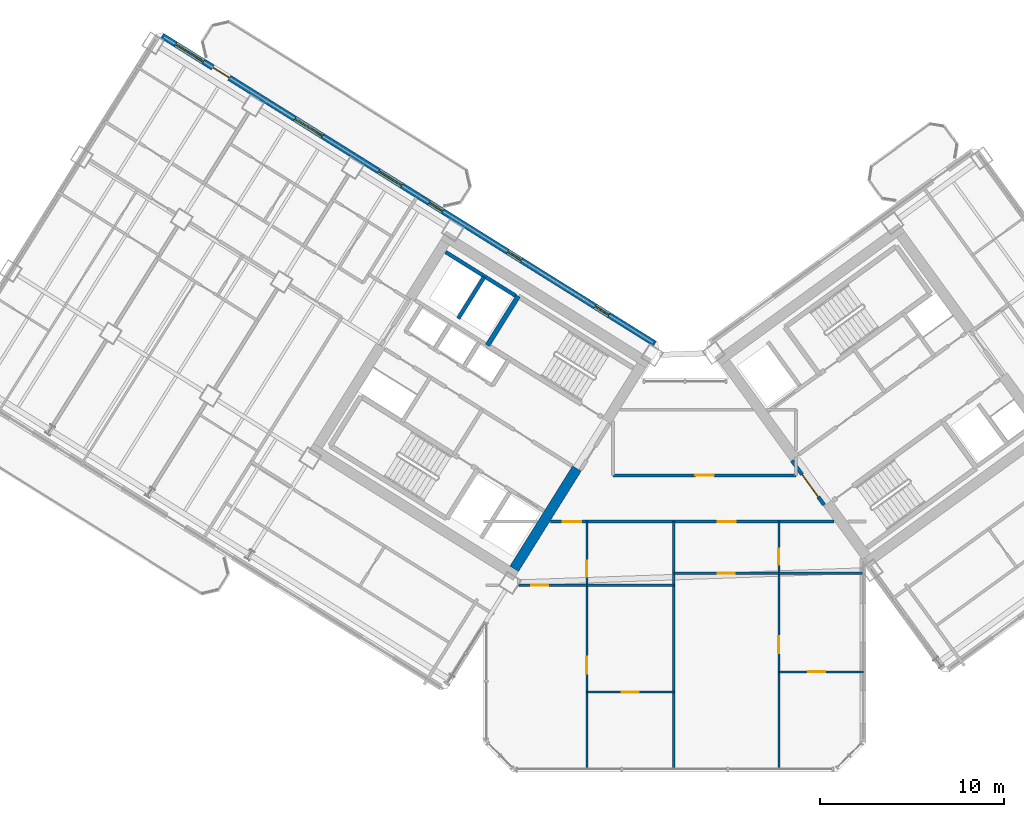
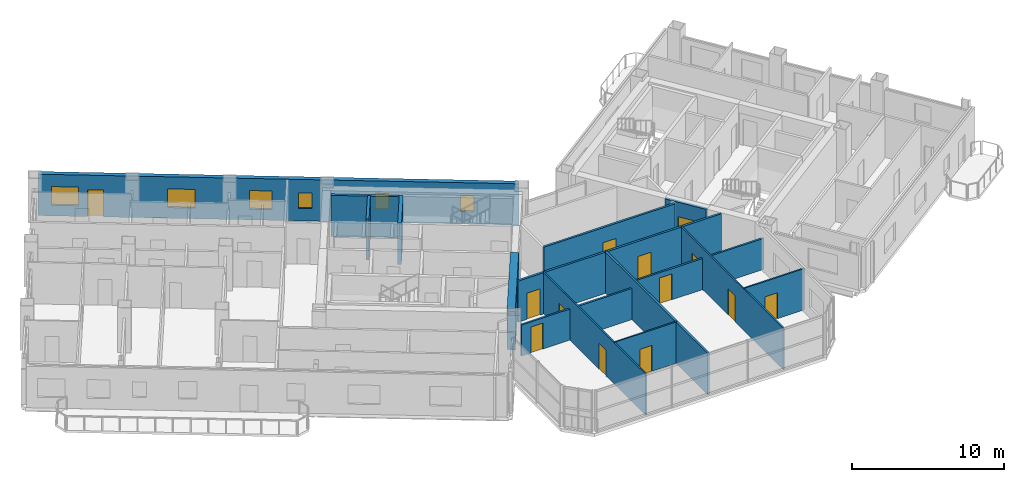
# One storey, part 18 of 29: 17 walls, 13 doors, 6 windows, 19 openings.
"""IFC4 building model written with IfcOpenShell, lengths in metres."""

from ifc_helpers import new_model, si_unit, direction, frame, frame_2d, origin, place, context, subcontext, project, spatial, rectangle, extrude, source, transform, mapped, material, layer, layer_set, type_object, element, fill, save


model = new_model("IFC4")

# Units and contexts
model_context = context("Model", 3, precision=1e-05, world=origin(), true_north=direction((0.0, 1.0)))
body_context = subcontext(model_context, "Body", "Model", "MODEL_VIEW")
ifc_project = project(units=[si_unit("LENGTHUNIT", "METRE"), si_unit("AREAUNIT", "SQUARE_METRE"), si_unit("VOLUMEUNIT", "CUBIC_METRE"), si_unit("PLANEANGLEUNIT", "RADIAN"), si_unit("MASSUNIT", "GRAM", prefix="KILO")], contexts=[model_context])

# Site, building, storey
site_placement = place(None, origin())
site = spatial("IfcSite", under=ifc_project, at=site_placement, CompositionType="ELEMENT")
building_placement = place(site_placement, origin())
building = spatial("IfcBuilding", under=site, at=building_placement, Name="Tlacorven Tower", CompositionType="ELEMENT")
storey_placement = place(building_placement, frame((0.0, 0.0, 165.89990234375)))
storey = spatial("IfcBuildingStorey", under=building, at=storey_placement, Name="L42", CompositionType="ELEMENT", Elevation=165.89990234375)

# Wall
ifc_material_1 = material(Name="Concrete C60/75", Category="concrete")
ifc_layer_1 = layer(ifc_material_1, 0.550048828125)
ifc_layer_set_1 = layer_set([ifc_layer_1], Name="Concrete C60/75")
wall_type_1 = type_object("IfcWallType", Name="WL-COR-550", PredefinedType="SHEAR", material=ifc_layer_set_1)
wall_1_placement = place(storey_placement, frame((36.683349609375, 18.30419921875, 0.0), z_axis=(0.0, 0.0, 1.0), x_axis=(-0.529896466841, -0.848062341122, 0.0)))
element("IfcWall", 1, at=wall_1_placement, inside=storey, type_object=wall_type_1, Name="L42 W core end wall E1.2", PredefinedType="SHEAR", context=body_context, shape_type="SweptSolid", body=[
    extrude(rectangle(XDim=6.4248046875, YDim=0.550048828125, at=frame_2d((3.21240234375, 0.0))), origin(), (0.0, 0.0, 1.0), 3.320068359375),
])

# Wall, openings, doors
ifc_material_2 = material(Name="Gypsum plasterboard acoustic partition", Category="gypsum")
ifc_layer_2 = layer(ifc_material_2, 0.159912109375)
ifc_layer_set_2 = layer_set([ifc_layer_2], Name="Gypsum plasterboard acoustic partition")
wall_type_2 = type_object("IfcWallType", Name="WL-DEM-160", PredefinedType="PARTITIONING", material=ifc_layer_set_2)
wall_2_placement = place(storey_placement, frame((35.2373046875, 15.419921875, 0.0), z_axis=(0.0, 0.0, 1.0), x_axis=(1.0, 0.0, 0.0)))
wall_2 = element("IfcWall", 2, at=wall_2_placement, inside=storey, type_object=wall_type_2, Name="L42 Knuckle Corridor South Wall", PredefinedType="PARTITIONING", context=body_context, shape_type="SweptSolid", body=[
    extrude(rectangle(XDim=15.431640625, YDim=0.159912109375, at=frame_2d((7.7158203125, 0.0))), origin(), (0.0, 0.0, 1.0), 3.31005859375),
])
opening_1_placement = place(wall_2_placement, frame((0.673583984375, 0.0, 0.0)))
opening_1 = element("IfcOpeningElement", 3, at=opening_1_placement, cuts=wall_2, Name="Opening D11", PredefinedType="OPENING", context=body_context, shape_type="SweptSolid", body=[
    extrude(rectangle(XDim=1.0, YDim=2.10009765625, at=frame_2d((0.5, 1.050048828125))), frame((0.0, 0.08984375, 0.0), z_axis=(0.0, -1.0, 0.0), x_axis=(1.0, 0.0, 0.0)), (0.0, 0.0, 1.0), 0.179931640625),
])
opening_2_placement = place(wall_2_placement, frame((9.093994140625, 0.0, 0.0)))
opening_2 = element("IfcOpeningElement", 4, at=opening_2_placement, cuts=wall_2, Name="Opening D11", PredefinedType="OPENING", context=body_context, shape_type="SweptSolid", body=[
    extrude(rectangle(XDim=1.0, YDim=2.10009765625, at=frame_2d((0.5, 1.050048828125))), frame((0.0, 0.08984375, 0.0), z_axis=(0.0, -1.0, 0.0), x_axis=(1.0, 0.0, 0.0)), (0.0, 0.0, 1.0), 0.179931640625),
])
ifc_material_3 = material(Name="Fire-rated steel door assembly", Category="steel")
door_type_1 = type_object("IfcDoorType", Name="DR-FLT-FD60-1000", OperationType="NOTDEFINED", PredefinedType="DOOR", material=ifc_material_3)
shared_shape_1 = source(origin(), body_context, "Body", "SweptSolid", [
    extrude(rectangle(XDim=1.0, YDim=2.10009765625, at=frame_2d((0.5, 1.050048828125))), frame((0.0, 0.02490234375, 0.0), z_axis=(0.0, -1.0, 0.0), x_axis=(1.0, 0.0, 0.0)), (0.0, 0.0, 1.0), 0.050048828125),
])
door_1_placement = place(opening_1_placement, frame((1.0, 0.0, 0.0), z_axis=(0.0, 0.0, 1.0), x_axis=(-1.0, 0.0, 0.0)))
door_1 = element("IfcDoor", 5, at=door_1_placement, inside=storey, type_object=door_type_1, Name="L42 door 050", OperationType="SINGLE_SWING_LEFT", OverallHeight=2.10009765625, OverallWidth=1.0, PredefinedType="DOOR", context=body_context, shape_type="MappedRepresentation", body=[
    mapped(shared_shape_1, transform((0.0, 0.0, 0.0), scale=1.0)),
])
fill(opening_1, door_1)
door_2_placement = place(opening_2_placement, frame((1.0, 0.0, 0.0), z_axis=(0.0, 0.0, 1.0), x_axis=(-1.0, 0.0, 0.0)))
door_2 = element("IfcDoor", 6, at=door_2_placement, inside=storey, type_object=door_type_1, Name="L42 door 055", OperationType="SINGLE_SWING_RIGHT", OverallHeight=2.10009765625, OverallWidth=1.0, PredefinedType="DOOR", context=body_context, shape_type="MappedRepresentation", body=[
    mapped(shared_shape_1, transform((0.0, 0.0, 0.0), scale=1.0)),
])
fill(opening_2, door_2)

# Wall, opening, door
wall_3_placement = place(storey_placement, frame((38.64990234375, 17.929931640625, 0.0), z_axis=(0.0, 0.0, 1.0), x_axis=(1.0, 0.0, 0.0)))
wall_3 = element("IfcWall", 7, at=wall_3_placement, inside=storey, type_object=wall_type_2, Name="L42 partition 74", PredefinedType="PARTITIONING", context=body_context, shape_type="SweptSolid", body=[
    extrude(rectangle(XDim=9.9501953125, YDim=0.159912109375, at=frame_2d((4.97509765625, 0.0))), origin(), (0.0, 0.0, 1.0), 3.31005859375),
])
opening_3_placement = place(wall_3_placement, frame((4.47509765625, 0.0, 0.0)))
opening_3 = element("IfcOpeningElement", 8, at=opening_3_placement, cuts=wall_3, Name="Opening D11", PredefinedType="OPENING", context=body_context, shape_type="SweptSolid", body=[
    extrude(rectangle(XDim=1.0, YDim=2.10009765625, at=frame_2d((0.5, 1.050048828125))), frame((0.0, 0.08984375, 0.0), z_axis=(0.0, -1.0, 0.0), x_axis=(1.0, 0.0, 0.0)), (0.0, 0.0, 1.0), 0.179931640625),
])
door_3_placement = place(opening_3_placement, origin())
door_3 = element("IfcDoor", 9, at=door_3_placement, inside=storey, type_object=door_type_1, Name="L42 door 045", OperationType="SINGLE_SWING_RIGHT", OverallHeight=2.10009765625, OverallWidth=1.0, PredefinedType="DOOR", context=body_context, shape_type="MappedRepresentation", body=[
    mapped(shared_shape_1, transform((0.0, 0.0, 0.0), scale=1.0)),
])
fill(opening_3, door_3)

# Wall
wall_4_placement = place(storey_placement, frame((41.949951171875, 1.9599609375, 0.0), z_axis=(0.0, 0.0, 1.0), x_axis=(0.0, 1.0, 0.0)))
element("IfcWall", 10, at=wall_4_placement, inside=storey, type_object=wall_type_2, Name="L42 Knuckle Demising Wall 1", PredefinedType="PARTITIONING", context=body_context, shape_type="SweptSolid", body=[
    extrude(rectangle(XDim=13.4599609375, YDim=0.159912109375, at=frame_2d((6.72998046875, 0.0))), origin(), (0.0, 0.0, 1.0), 3.31005859375),
])

# Wall, openings, door, windows
ifc_material_4 = material(Name="Precast concrete C45/55", Category="concrete")
ifc_layer_3 = layer(ifc_material_4, 0.320068359375)
ifc_layer_set_3 = layer_set([ifc_layer_3], Name="Precast concrete C45/55")
wall_type_3 = type_object("IfcWallType", Name="WL-EXT-320", PredefinedType="STANDARD", material=ifc_layer_set_3)
wall_5_placement = place(storey_placement, frame((14.13818359375, 41.825439453125, 0.0), z_axis=(0.0, 0.0, 1.0), x_axis=(0.848046498049, -0.529921821731, 0.0)))
wall_5 = element("IfcWall", 11, at=wall_5_placement, inside=storey, type_object=wall_type_3, Name="L42 Masonry-Frame Recessed Facade Wall 3", PredefinedType="STANDARD", context=body_context, shape_type="SweptSolid", body=[
    extrude(rectangle(XDim=31.587646484375, YDim=0.320068359375, at=frame_2d((15.7939453125, 0.0))), origin(), (0.0, 0.0, 1.0), 3.320068359375),
])
opening_4_placement = place(wall_5_placement, frame((3.2529296875, 0.0, 0.0)))
opening_4 = element("IfcOpeningElement", 12, at=opening_4_placement, cuts=wall_5, Name="Opening D06", PredefinedType="OPENING", context=body_context, shape_type="SweptSolid", body=[
    extrude(rectangle(XDim=1.050048828125, YDim=2.14990234375, at=frame_2d((0.52490234375, 1.074951171875))), frame((0.0, 0.169921875, 0.0), z_axis=(0.0, -1.0, 0.0), x_axis=(1.0, 0.0, 0.0)), (0.0, 0.0, 1.0), 0.340087890625),
])
opening_5_placement = place(wall_5_placement, frame((0.86328125, 0.0, 0.85009765625)))
opening_5 = element("IfcOpeningElement", 13, at=opening_5_placement, cuts=wall_5, Name="Opening WN01", PredefinedType="OPENING", context=body_context, shape_type="SweptSolid", body=[
    extrude(rectangle(XDim=1.800048828125, YDim=1.5, at=frame_2d((0.89990234375, 0.75))), frame((0.0, 0.169921875, 0.0), z_axis=(0.0, -1.0, 0.0), x_axis=(1.0, 0.0, 0.0)), (0.0, 0.0, 1.0), 0.340087890625),
])
opening_6_placement = place(wall_5_placement, frame((8.49365234375, 0.0, 0.85009765625)))
opening_6 = element("IfcOpeningElement", 14, at=opening_6_placement, cuts=wall_5, Name="Opening WN01", PredefinedType="OPENING", context=body_context, shape_type="SweptSolid", body=[
    extrude(rectangle(XDim=1.800048828125, YDim=1.5, at=frame_2d((0.89990234375, 0.75))), frame((0.0, 0.169921875, 0.0), z_axis=(0.0, -1.0, 0.0), x_axis=(1.0, 0.0, 0.0)), (0.0, 0.0, 1.0), 0.340087890625),
])
opening_7_placement = place(wall_5_placement, frame((13.873779296875, 0.0, 0.85009765625)))
opening_7 = element("IfcOpeningElement", 15, at=opening_7_placement, cuts=wall_5, Name="Opening WN02", PredefinedType="OPENING", context=body_context, shape_type="SweptSolid", body=[
    extrude(rectangle(XDim=1.5, YDim=1.5, at=frame_2d((0.75, 0.75))), frame((0.0, 0.169921875, 0.0), z_axis=(0.0, -1.0, 0.0), x_axis=(1.0, 0.0, 0.0)), (0.0, 0.0, 1.0), 0.340087890625),
])
opening_8_placement = place(wall_5_placement, frame((17.103759765625, 0.0, 1.0)))
opening_8 = element("IfcOpeningElement", 16, at=opening_8_placement, cuts=wall_5, Name="Opening WN05", PredefinedType="OPENING", context=body_context, shape_type="SweptSolid", body=[
    extrude(rectangle(XDim=0.89990234375, YDim=1.25, at=frame_2d((0.449951171875, 0.625))), frame((0.0, 0.169921875, 0.0), z_axis=(0.0, -1.0, 0.0), x_axis=(1.0, 0.0, 0.0)), (0.0, 0.0, 1.0), 0.340087890625),
])
opening_9_placement = place(wall_5_placement, frame((22.143798828125, 0.0, 1.0)))
opening_9 = element("IfcOpeningElement", 17, at=opening_9_placement, cuts=wall_5, Name="Opening WN05", PredefinedType="OPENING", context=body_context, shape_type="SweptSolid", body=[
    extrude(rectangle(XDim=0.89990234375, YDim=1.25, at=frame_2d((0.449951171875, 0.625))), frame((0.0, 0.169921875, 0.0), z_axis=(0.0, -1.0, 0.0), x_axis=(1.0, 0.0, 0.0)), (0.0, 0.0, 1.0), 0.340087890625),
])
opening_10_placement = place(wall_5_placement, frame((27.74365234375, 0.0, 1.0)))
opening_10 = element("IfcOpeningElement", 18, at=opening_10_placement, cuts=wall_5, Name="Opening WN05", PredefinedType="OPENING", context=body_context, shape_type="SweptSolid", body=[
    extrude(rectangle(XDim=0.89990234375, YDim=1.25, at=frame_2d((0.449951171875, 0.625))), frame((0.0, 0.169921875, 0.0), z_axis=(0.0, -1.0, 0.0), x_axis=(1.0, 0.0, 0.0)), (0.0, 0.0, 1.0), 0.340087890625),
])
ifc_material_5 = material(Name="Powder-coated aluminium and timber door", Category="wood")
door_type_2 = type_object("IfcDoorType", Name="DR-EXT-BALC-1050", OperationType="NOTDEFINED", PredefinedType="DOOR", material=ifc_material_5)
shared_shape_2 = source(origin(), body_context, "Body", "SweptSolid", [
    extrude(rectangle(XDim=1.050048828125, YDim=2.14990234375, at=frame_2d((0.52490234375, 1.074951171875))), frame((0.0, 0.02490234375, 0.0), z_axis=(0.0, -1.0, 0.0), x_axis=(1.0, 0.0, 0.0)), (0.0, 0.0, 1.0), 0.050048828125),
])
door_4_placement = place(opening_4_placement, origin())
door_4 = element("IfcDoor", 19, at=door_4_placement, inside=storey, type_object=door_type_2, Name="L42 Outdoor Access Door BAL-L42-W-IN", OperationType="SINGLE_SWING_RIGHT", OverallHeight=2.14990234375, OverallWidth=1.050048828125, PredefinedType="DOOR", context=body_context, shape_type="MappedRepresentation", body=[
    mapped(shared_shape_2, transform((0.0, 0.0, 0.0), scale=1.0)),
])
fill(opening_4, door_4)
ifc_material_6 = material(Name="Dark solar low-E double glazing in anodised aluminium frame", Category="aluminium")
window_type_1 = type_object("IfcWindowType", Name="WN-APT-1800X1650", PartitioningType="SINGLE_PANEL", PredefinedType="WINDOW", material=ifc_material_6)
shared_shape_3 = source(origin(), body_context, "Body", "SweptSolid", [
    extrude(rectangle(XDim=1.800048828125, YDim=1.5, at=frame_2d((0.89990234375, 0.75))), frame((0.0, 0.030029296875, 0.0), z_axis=(0.0, -1.0, 0.0), x_axis=(1.0, 0.0, 0.0)), (0.0, 0.0, 1.0), 0.06005859375),
])
window_1_placement = place(opening_5_placement, origin())
window_1 = element("IfcWindow", 20, at=window_1_placement, inside=storey, type_object=window_type_1, Name="L42 Recessed Masonry-Frame Window L42-03.1", OverallHeight=1.5, OverallWidth=1.800048828125, PartitioningType="SINGLE_PANEL", PredefinedType="WINDOW", context=body_context, shape_type="MappedRepresentation", body=[
    mapped(shared_shape_3, transform((0.0, 0.0, 0.0), scale=1.0)),
])
fill(opening_5, window_1)
window_2_placement = place(opening_6_placement, origin())
window_2 = element("IfcWindow", 21, at=window_2_placement, inside=storey, type_object=window_type_1, Name="L42 Recessed Masonry-Frame Window L42-03.2", OverallHeight=1.5, OverallWidth=1.800048828125, PartitioningType="SINGLE_PANEL", PredefinedType="WINDOW", context=body_context, shape_type="MappedRepresentation", body=[
    mapped(shared_shape_3, transform((0.0, 0.0, 0.0), scale=1.0)),
])
fill(opening_6, window_2)
window_type_2 = type_object("IfcWindowType", Name="WN-APT-1500X1650", PartitioningType="SINGLE_PANEL", PredefinedType="WINDOW", material=ifc_material_6)
shared_shape_4 = source(origin(), body_context, "Body", "SweptSolid", [
    extrude(rectangle(XDim=1.5, YDim=1.5, at=frame_2d((0.75, 0.75))), frame((0.0, 0.030029296875, 0.0), z_axis=(0.0, -1.0, 0.0), x_axis=(1.0, 0.0, 0.0)), (0.0, 0.0, 1.0), 0.06005859375),
])
window_3_placement = place(opening_7_placement, origin())
window_3 = element("IfcWindow", 22, at=window_3_placement, inside=storey, type_object=window_type_2, Name="L42 Recessed Masonry-Frame Window L42-03.3", OverallHeight=1.5, OverallWidth=1.5, PartitioningType="SINGLE_PANEL", PredefinedType="WINDOW", context=body_context, shape_type="MappedRepresentation", body=[
    mapped(shared_shape_4, transform((0.0, 0.0, 0.0), scale=1.0)),
])
fill(opening_7, window_3)
window_type_3 = type_object("IfcWindowType", Name="WN-APT-0900X1350", PartitioningType="SINGLE_PANEL", PredefinedType="WINDOW", material=ifc_material_6)
shared_shape_5 = source(origin(), body_context, "Body", "SweptSolid", [
    extrude(rectangle(XDim=0.89990234375, YDim=1.25, at=frame_2d((0.449951171875, 0.625))), frame((0.0, 0.030029296875, 0.0), z_axis=(0.0, -1.0, 0.0), x_axis=(1.0, 0.0, 0.0)), (0.0, 0.0, 1.0), 0.06005859375),
])
window_4_placement = place(opening_8_placement, origin())
window_4 = element("IfcWindow", 23, at=window_4_placement, inside=storey, type_object=window_type_3, Name="L42 Recessed Masonry-Frame Window L42-03.4", OverallHeight=1.25, OverallWidth=0.89990234375, PartitioningType="SINGLE_PANEL", PredefinedType="WINDOW", context=body_context, shape_type="MappedRepresentation", body=[
    mapped(shared_shape_5, transform((0.0, 0.0, 0.0), scale=1.0)),
])
fill(opening_8, window_4)
window_5_placement = place(opening_9_placement, origin())
window_5 = element("IfcWindow", 24, at=window_5_placement, inside=storey, type_object=window_type_3, Name="L42 Recessed Masonry-Frame Window L42-03.5", OverallHeight=1.25, OverallWidth=0.89990234375, PartitioningType="SINGLE_PANEL", PredefinedType="WINDOW", context=body_context, shape_type="MappedRepresentation", body=[
    mapped(shared_shape_5, transform((0.0, 0.0, 0.0), scale=1.0)),
])
fill(opening_9, window_5)
window_6_placement = place(opening_10_placement, origin())
window_6 = element("IfcWindow", 25, at=window_6_placement, inside=storey, type_object=window_type_3, Name="L42 Recessed Masonry-Frame Window L42-03.6", OverallHeight=1.25, OverallWidth=0.89990234375, PartitioningType="SINGLE_PANEL", PredefinedType="WINDOW", context=body_context, shape_type="MappedRepresentation", body=[
    mapped(shared_shape_5, transform((0.0, 0.0, 0.0), scale=1.0)),
])
fill(opening_10, window_6)

# Wall, openings, doors
ifc_material_7 = material(Name="Gypsum plasterboard partition", Category="gypsum")
ifc_layer_4 = layer(ifc_material_7, 0.110107421875)
ifc_layer_set_4 = layer_set([ifc_layer_4], Name="Gypsum plasterboard partition")
wall_type_4 = type_object("IfcWallType", Name="WL-INT-110", PredefinedType="PARTITIONING", material=ifc_layer_set_4)
wall_6_placement = place(storey_placement, frame((37.221923828125, 1.9599609375, 0.0), z_axis=(0.0, 0.0, 1.0), x_axis=(0.0, 1.0, 0.0)))
wall_6 = element("IfcWall", 26, at=wall_6_placement, inside=storey, type_object=wall_type_4, Name="L42 partition 80", PredefinedType="PARTITIONING", context=body_context, shape_type="SweptSolid", body=[
    extrude(rectangle(XDim=13.4599609375, YDim=0.110107421875, at=frame_2d((6.72998046875, 0.0))), origin(), (0.0, 0.0, 1.0), 3.31005859375),
])
opening_11_placement = place(wall_6_placement, frame((5.199951171875, 0.0, 0.0)))
opening_11 = element("IfcOpeningElement", 27, at=opening_11_placement, cuts=wall_6, Name="Opening D12", PredefinedType="OPENING", context=body_context, shape_type="SweptSolid", body=[
    extrude(rectangle(XDim=0.919921875, YDim=2.080078125, at=frame_2d((0.4599609375, 1.0400390625))), frame((0.0, 0.06494140625, 0.0), z_axis=(0.0, -1.0, 0.0), x_axis=(1.0, 0.0, 0.0)), (0.0, 0.0, 1.0), 0.130126953125),
])
opening_12_placement = place(wall_6_placement, frame((10.449951171875, 0.0, 0.0)))
opening_12 = element("IfcOpeningElement", 28, at=opening_12_placement, cuts=wall_6, Name="Opening D13", PredefinedType="OPENING", context=body_context, shape_type="SweptSolid", body=[
    extrude(rectangle(XDim=0.8798828125, YDim=2.080078125, at=frame_2d((0.43994140625, 1.0400390625))), frame((0.0, 0.06494140625, 0.0), z_axis=(0.0, -1.0, 0.0), x_axis=(1.0, 0.0, 0.0)), (0.0, 0.0, 1.0), 0.130126953125),
])
door_type_3 = type_object("IfcDoorType", Name="DR-INT-WET-0880", OperationType="NOTDEFINED", PredefinedType="DOOR", material=ifc_material_5)
shared_shape_6 = source(origin(), body_context, "Body", "SweptSolid", [
    extrude(rectangle(XDim=0.8798828125, YDim=2.080078125, at=frame_2d((0.43994140625, 1.0400390625))), frame((0.0, 0.02490234375, 0.0), z_axis=(0.0, -1.0, 0.0), x_axis=(1.0, 0.0, 0.0)), (0.0, 0.0, 1.0), 0.050048828125),
])
door_5_placement = place(opening_12_placement, origin())
door_5 = element("IfcDoor", 29, at=door_5_placement, inside=storey, type_object=door_type_3, Name="L42 door 052", OperationType="SINGLE_SWING_LEFT", OverallHeight=2.080078125, OverallWidth=0.8798828125, PredefinedType="DOOR", context=body_context, shape_type="MappedRepresentation", body=[
    mapped(shared_shape_6, transform((0.0, 0.0, 0.0), scale=1.0)),
])
fill(opening_12, door_5)
door_type_4 = type_object("IfcDoorType", Name="DR-INT-ROOM-0920", OperationType="NOTDEFINED", PredefinedType="DOOR", material=ifc_material_5)
shared_shape_7 = source(origin(), body_context, "Body", "SweptSolid", [
    extrude(rectangle(XDim=0.919921875, YDim=2.080078125, at=frame_2d((0.4599609375, 1.0400390625))), frame((0.0, 0.02490234375, 0.0), z_axis=(0.0, -1.0, 0.0), x_axis=(1.0, 0.0, 0.0)), (0.0, 0.0, 1.0), 0.050048828125),
])
door_6_placement = place(opening_11_placement, origin())
door_6 = element("IfcDoor", 30, at=door_6_placement, inside=storey, type_object=door_type_4, Name="L42 door 048", OperationType="SINGLE_SWING_LEFT", OverallHeight=2.080078125, OverallWidth=0.919921875, PredefinedType="DOOR", context=body_context, shape_type="MappedRepresentation", body=[
    mapped(shared_shape_7, transform((0.0, 0.0, 0.0), scale=1.0)),
])
fill(opening_11, door_6)

# Wall, opening, door
wall_7_placement = place(storey_placement, frame((37.221923828125, 6.14990234375, 0.0), z_axis=(0.0, 0.0, 1.0), x_axis=(1.0, 0.0, 0.0)))
wall_7 = element("IfcWall", 31, at=wall_7_placement, inside=storey, type_object=wall_type_4, Name="L42 partition 83", PredefinedType="PARTITIONING", context=body_context, shape_type="SweptSolid", body=[
    extrude(rectangle(XDim=4.72802734375, YDim=0.110107421875, at=frame_2d((2.364013671875, 0.0))), origin(), (0.0, 0.0, 1.0), 3.31005859375),
])
opening_13_placement = place(wall_7_placement, frame((1.904052734375, 0.0, 0.0)))
opening_13 = element("IfcOpeningElement", 32, at=opening_13_placement, cuts=wall_7, Name="Opening D12", PredefinedType="OPENING", context=body_context, shape_type="SweptSolid", body=[
    extrude(rectangle(XDim=0.919921875, YDim=2.080078125, at=frame_2d((0.4599609375, 1.0400390625))), frame((0.0, 0.06494140625, 0.0), z_axis=(0.0, -1.0, 0.0), x_axis=(1.0, 0.0, 0.0)), (0.0, 0.0, 1.0), 0.130126953125),
])
door_7_placement = place(opening_13_placement, origin())
door_7 = element("IfcDoor", 33, at=door_7_placement, inside=storey, type_object=door_type_4, Name="L42 door 049", OperationType="SINGLE_SWING_RIGHT", OverallHeight=2.080078125, OverallWidth=0.919921875, PredefinedType="DOOR", context=body_context, shape_type="MappedRepresentation", body=[
    mapped(shared_shape_7, transform((0.0, 0.0, 0.0), scale=1.0)),
])
fill(opening_13, door_7)

# Wall, openings, doors
wall_8_placement = place(storey_placement, frame((47.6630859375, 1.9599609375, 0.0), z_axis=(0.0, 0.0, 1.0), x_axis=(0.0, 1.0, 0.0)))
wall_8 = element("IfcWall", 34, at=wall_8_placement, inside=storey, type_object=wall_type_4, Name="L42 partition 84", PredefinedType="PARTITIONING", context=body_context, shape_type="SweptSolid", body=[
    extrude(rectangle(XDim=13.4599609375, YDim=0.110107421875, at=frame_2d((6.72998046875, 0.0))), origin(), (0.0, 0.0, 1.0), 3.31005859375),
])
opening_14_placement = place(wall_8_placement, frame((6.300048828125, 0.0, 0.0)))
opening_14 = element("IfcOpeningElement", 35, at=opening_14_placement, cuts=wall_8, Name="Opening D12", PredefinedType="OPENING", context=body_context, shape_type="SweptSolid", body=[
    extrude(rectangle(XDim=0.919921875, YDim=2.080078125, at=frame_2d((0.4599609375, 1.0400390625))), frame((0.0, 0.06494140625, 0.0), z_axis=(0.0, -1.0, 0.0), x_axis=(1.0, 0.0, 0.0)), (0.0, 0.0, 1.0), 0.130126953125),
])
opening_15_placement = place(wall_8_placement, frame((11.10009765625, 0.0, 0.0)))
opening_15 = element("IfcOpeningElement", 36, at=opening_15_placement, cuts=wall_8, Name="Opening D13", PredefinedType="OPENING", context=body_context, shape_type="SweptSolid", body=[
    extrude(rectangle(XDim=0.8798828125, YDim=2.080078125, at=frame_2d((0.43994140625, 1.0400390625))), frame((0.0, 0.06494140625, 0.0), z_axis=(0.0, -1.0, 0.0), x_axis=(1.0, 0.0, 0.0)), (0.0, 0.0, 1.0), 0.130126953125),
])
door_8_placement = place(opening_15_placement, origin())
door_8 = element("IfcDoor", 37, at=door_8_placement, inside=storey, type_object=door_type_3, Name="L42 door 057", OperationType="SINGLE_SWING_RIGHT", OverallHeight=2.080078125, OverallWidth=0.8798828125, PredefinedType="DOOR", context=body_context, shape_type="MappedRepresentation", body=[
    mapped(shared_shape_6, transform((0.0, 0.0, 0.0), scale=1.0)),
])
fill(opening_15, door_8)
door_9_placement = place(opening_14_placement, origin())
door_9 = element("IfcDoor", 38, at=door_9_placement, inside=storey, type_object=door_type_4, Name="L42 door 053", OperationType="SINGLE_SWING_RIGHT", OverallHeight=2.080078125, OverallWidth=0.919921875, PredefinedType="DOOR", context=body_context, shape_type="MappedRepresentation", body=[
    mapped(shared_shape_7, transform((0.0, 0.0, 0.0), scale=1.0)),
])
fill(opening_14, door_9)

# Wall, opening, door
wall_9_placement = place(storey_placement, frame((47.6630859375, 7.25, 0.0), z_axis=(0.0, 0.0, 1.0), x_axis=(1.0, 0.0, 0.0)))
wall_9 = element("IfcWall", 39, at=wall_9_placement, inside=storey, type_object=wall_type_4, Name="L42 partition 87", PredefinedType="PARTITIONING", context=body_context, shape_type="SweptSolid", body=[
    extrude(rectangle(XDim=4.596923828125, YDim=0.110107421875, at=frame_2d((2.29833984375, 0.0))), origin(), (0.0, 0.0, 1.0), 3.31005859375),
])
opening_16_placement = place(wall_9_placement, frame((1.6083984375, 0.0, 0.0)))
opening_16 = element("IfcOpeningElement", 40, at=opening_16_placement, cuts=wall_9, Name="Opening D12", PredefinedType="OPENING", context=body_context, shape_type="SweptSolid", body=[
    extrude(rectangle(XDim=0.919921875, YDim=2.080078125, at=frame_2d((0.4599609375, 1.0400390625))), frame((0.0, 0.06494140625, 0.0), z_axis=(0.0, -1.0, 0.0), x_axis=(1.0, 0.0, 0.0)), (0.0, 0.0, 1.0), 0.130126953125),
])
door_10_placement = place(opening_16_placement, origin())
door_10 = element("IfcDoor", 41, at=door_10_placement, inside=storey, type_object=door_type_4, Name="L42 door 054", OperationType="SINGLE_SWING_LEFT", OverallHeight=2.080078125, OverallWidth=0.919921875, PredefinedType="DOOR", context=body_context, shape_type="MappedRepresentation", body=[
    mapped(shared_shape_7, transform((0.0, 0.0, 0.0), scale=1.0)),
])
fill(opening_16, door_10)

ifc_material_8 = material(Name="Moisture-resistant gypsum plumbing wall", Category="gypsum")
ifc_layer_5 = layer(ifc_material_8, 0.139892578125)
ifc_layer_set_5 = layer_set([ifc_layer_5], Name="Moisture-resistant gypsum plumbing wall")
wall_type_5 = type_object("IfcWallType", Name="WL-PLM-140", PredefinedType="PLUMBINGWALL", material=ifc_layer_set_5)
wall_10_placement = place(storey_placement, frame((33.50537109375, 11.949951171875, 0.0), z_axis=(0.0, 0.0, 1.0), x_axis=(1.0, 0.0, 0.0)))
wall_10 = element("IfcWall", 42, at=wall_10_placement, inside=storey, type_object=wall_type_5, Name="L42 partition 81", PredefinedType="PLUMBINGWALL", context=body_context, shape_type="SweptSolid", body=[
    extrude(rectangle(XDim=3.716552734375, YDim=0.139892578125, at=frame_2d((1.8583984375, 0.0))), origin(), (0.0, 0.0, 1.0), 2.4951171875),
])
opening_17_placement = place(wall_10_placement, frame((0.695556640625, 0.0, 0.0)))
opening_17 = element("IfcOpeningElement", 43, at=opening_17_placement, cuts=wall_10, Name="Opening D12", PredefinedType="OPENING", context=body_context, shape_type="SweptSolid", body=[
    extrude(rectangle(XDim=0.919921875, YDim=2.080078125, at=frame_2d((0.4599609375, 1.0400390625))), frame((0.0, 0.080078125, 0.0), z_axis=(0.0, -1.0, 0.0), x_axis=(1.0, 0.0, 0.0)), (0.0, 0.0, 1.0), 0.159912109375),
])
door_11_placement = place(opening_17_placement, frame((0.919921875, 0.0, 0.0), z_axis=(0.0, 0.0, 1.0), x_axis=(-1.0, 0.0, 0.0)))
door_11 = element("IfcDoor", 44, at=door_11_placement, inside=storey, type_object=door_type_4, Name="L42 door 051", OperationType="SINGLE_SWING_RIGHT", OverallHeight=2.080078125, OverallWidth=0.919921875, PredefinedType="DOOR", context=body_context, shape_type="MappedRepresentation", body=[
    mapped(shared_shape_7, transform((0.0, 0.0, 0.0), scale=1.0)),
])
fill(opening_17, door_11)

# Wall
wall_11_placement = place(storey_placement, frame((37.221923828125, 11.949951171875, 0.0), z_axis=(0.0, 0.0, 1.0), x_axis=(1.0, 0.0, 0.0)))
element("IfcWall", 45, at=wall_11_placement, inside=storey, type_object=wall_type_5, Name="L42 partition 82", PredefinedType="PLUMBINGWALL", context=body_context, shape_type="SweptSolid", body=[
    extrude(rectangle(XDim=4.72802734375, YDim=0.139892578125, at=frame_2d((2.364013671875, 0.0))), origin(), (0.0, 0.0, 1.0), 2.4951171875),
])

# Wall, opening, door
wall_12_placement = place(storey_placement, frame((41.949951171875, 12.60009765625, 0.0), z_axis=(0.0, 0.0, 1.0), x_axis=(1.0, 0.0, 0.0)))
wall_12 = element("IfcWall", 46, at=wall_12_placement, inside=storey, type_object=wall_type_5, Name="L42 partition 85", PredefinedType="PLUMBINGWALL", context=body_context, shape_type="SweptSolid", body=[
    extrude(rectangle(XDim=5.713134765625, YDim=0.139892578125, at=frame_2d((2.8564453125, 0.0))), origin(), (0.0, 0.0, 1.0), 2.4951171875),
])
opening_18_placement = place(wall_12_placement, frame((2.396484375, 0.0, 0.0)))
opening_18 = element("IfcOpeningElement", 47, at=opening_18_placement, cuts=wall_12, Name="Opening D12", PredefinedType="OPENING", context=body_context, shape_type="SweptSolid", body=[
    extrude(rectangle(XDim=0.919921875, YDim=2.080078125, at=frame_2d((0.4599609375, 1.0400390625))), frame((0.0, 0.080078125, 0.0), z_axis=(0.0, -1.0, 0.0), x_axis=(1.0, 0.0, 0.0)), (0.0, 0.0, 1.0), 0.159912109375),
])
door_12_placement = place(opening_18_placement, frame((0.919921875, 0.0, 0.0), z_axis=(0.0, 0.0, 1.0), x_axis=(-1.0, 0.0, 0.0)))
door_12 = element("IfcDoor", 48, at=door_12_placement, inside=storey, type_object=door_type_4, Name="L42 door 056", OperationType="SINGLE_SWING_LEFT", OverallHeight=2.080078125, OverallWidth=0.919921875, PredefinedType="DOOR", context=body_context, shape_type="MappedRepresentation", body=[
    mapped(shared_shape_7, transform((0.0, 0.0, 0.0), scale=1.0)),
])
fill(opening_18, door_12)

# Walls
wall_13_placement = place(storey_placement, frame((47.6630859375, 12.60009765625, 0.0), z_axis=(0.0, 0.0, 1.0), x_axis=(1.0, 0.0, 0.0)))
element("IfcWall", 49, at=wall_13_placement, inside=storey, type_object=wall_type_5, Name="L42 partition 86", PredefinedType="PLUMBINGWALL", context=body_context, shape_type="SweptSolid", body=[
    extrude(rectangle(XDim=4.596923828125, YDim=0.139892578125, at=frame_2d((2.29833984375, 0.0))), origin(), (0.0, 0.0, 1.0), 2.4951171875),
])
ifc_material_9 = material(Name="Concrete C40/50", Category="concrete")
ifc_layer_6 = layer(ifc_material_9, 0.199951171875)
ifc_layer_set_6 = layer_set([ifc_layer_6], Name="Concrete C40/50")
wall_type_6 = type_object("IfcWallType", Name="WL-SHF-200", PredefinedType="STANDARD", material=ifc_layer_set_6)
wall_14_placement = place(storey_placement, frame((31.645263671875, 28.716064453125, 0.0), z_axis=(0.0, 0.0, 1.0), x_axis=(-0.52986693015, -0.848080795876, 0.0)))
element("IfcWall", 50, at=wall_14_placement, inside=storey, type_object=wall_type_6, Name="L42 partition 15", PredefinedType="STANDARD", context=body_context, shape_type="SweptSolid", body=[
    extrude(rectangle(XDim=2.659912109375, YDim=0.199951171875, at=frame_2d((1.330078125, 0.0))), origin(), (0.0, 0.0, 1.0), 3.31005859375),
])
wall_15_placement = place(storey_placement, frame((33.362548828125, 27.690185546875, 0.0), z_axis=(0.0, 0.0, 1.0), x_axis=(-0.848047090064, 0.529920874315, 0.0)))
element("IfcWall", 51, at=wall_15_placement, inside=storey, type_object=wall_type_6, Name="L42 partition 17", PredefinedType="STANDARD", context=body_context, shape_type="SweptSolid", body=[
    extrude(rectangle(XDim=4.498046875, YDim=0.199951171875, at=frame_2d((2.2490234375, 0.0))), origin(), (0.0, 0.0, 1.0), 3.31005859375),
])

# Wall, opening, door
wall_16_placement = place(storey_placement, frame((50.119140625, 16.3330078125, 0.0), z_axis=(0.0, 0.0, 1.0), x_axis=(-0.587749856981, 0.809042709391, 0.0)))
wall_16 = element("IfcWall", 52, at=wall_16_placement, inside=storey, type_object=wall_type_6, Name="L42 partition 78", PredefinedType="STANDARD", context=body_context, shape_type="SweptSolid", body=[
    extrude(rectangle(XDim=2.9599609375, YDim=0.199951171875, at=frame_2d((1.47998046875, 0.0))), origin(), (0.0, 0.0, 1.0), 3.31005859375),
])
opening_19_placement = place(wall_16_placement, frame((0.530029296875, 0.0, 0.0)))
opening_19 = element("IfcOpeningElement", 53, at=opening_19_placement, cuts=wall_16, Name="Opening D10", PredefinedType="OPENING", context=body_context, shape_type="SweptSolid", body=[
    extrude(rectangle(XDim=1.5, YDim=2.14990234375, at=frame_2d((0.75, 1.074951171875))), frame((0.0, 0.10986328125, 0.0), z_axis=(0.0, -1.0, 0.0), x_axis=(1.0, 0.0, 0.0)), (0.0, 0.0, 1.0), 0.219970703125),
])
door_type_5 = type_object("IfcDoorType", Name="DR-LOB-FD60-1500", OperationType="DOUBLE_DOOR_SINGLE_SWING", PredefinedType="DOOR", material=ifc_material_3)
shared_shape_8 = source(origin(), body_context, "Body", "SweptSolid", [
    extrude(rectangle(XDim=1.5, YDim=2.14990234375, at=frame_2d((0.75, 1.074951171875))), frame((0.0, 0.02490234375, 0.0), z_axis=(0.0, -1.0, 0.0), x_axis=(1.0, 0.0, 0.0)), (0.0, 0.0, 1.0), 0.050048828125),
])
door_13_placement = place(opening_19_placement, frame((1.5, 0.0, 0.0), z_axis=(0.0, 0.0, 1.0), x_axis=(-1.0, 0.0, 0.0)))
door_13 = element("IfcDoor", 54, at=door_13_placement, inside=storey, type_object=door_type_5, Name="L42 door 047", OperationType="DOUBLE_DOOR_SINGLE_SWING", OverallHeight=2.14990234375, OverallWidth=1.5, PredefinedType="DOOR", context=body_context, shape_type="MappedRepresentation", body=[
    mapped(shared_shape_8, transform((0.0, 0.0, 0.0), scale=1.0)),
])
fill(opening_19, door_13)

# Wall
ifc_material_10 = material(Name="Concrete C50/60", Category="concrete")
ifc_layer_7 = layer(ifc_material_10, 0.260009765625)
ifc_layer_set_7 = layer_set([ifc_layer_7], Name="Concrete C50/60")
wall_type_7 = type_object("IfcWallType", Name="WL-STW-260", PredefinedType="SHEAR", material=ifc_layer_set_7)
wall_17_placement = place(storey_placement, frame((33.496337890625, 27.677490234375, 0.0), z_axis=(0.0, 0.0, 1.0), x_axis=(-0.529908658664, -0.84805472316, 0.0)))
element("IfcWall", 55, at=wall_17_placement, inside=storey, type_object=wall_type_7, Name="L42 Stair W2 East Shear Wall", PredefinedType="SHEAR", context=body_context, shape_type="SweptSolid", body=[
    extrude(rectangle(XDim=3.16015625, YDim=0.260009765625, at=frame_2d((1.580078125, 0.0))), origin(), (0.0, 0.0, 1.0), 3.320068359375),
])

save(model, "model.ifc")
